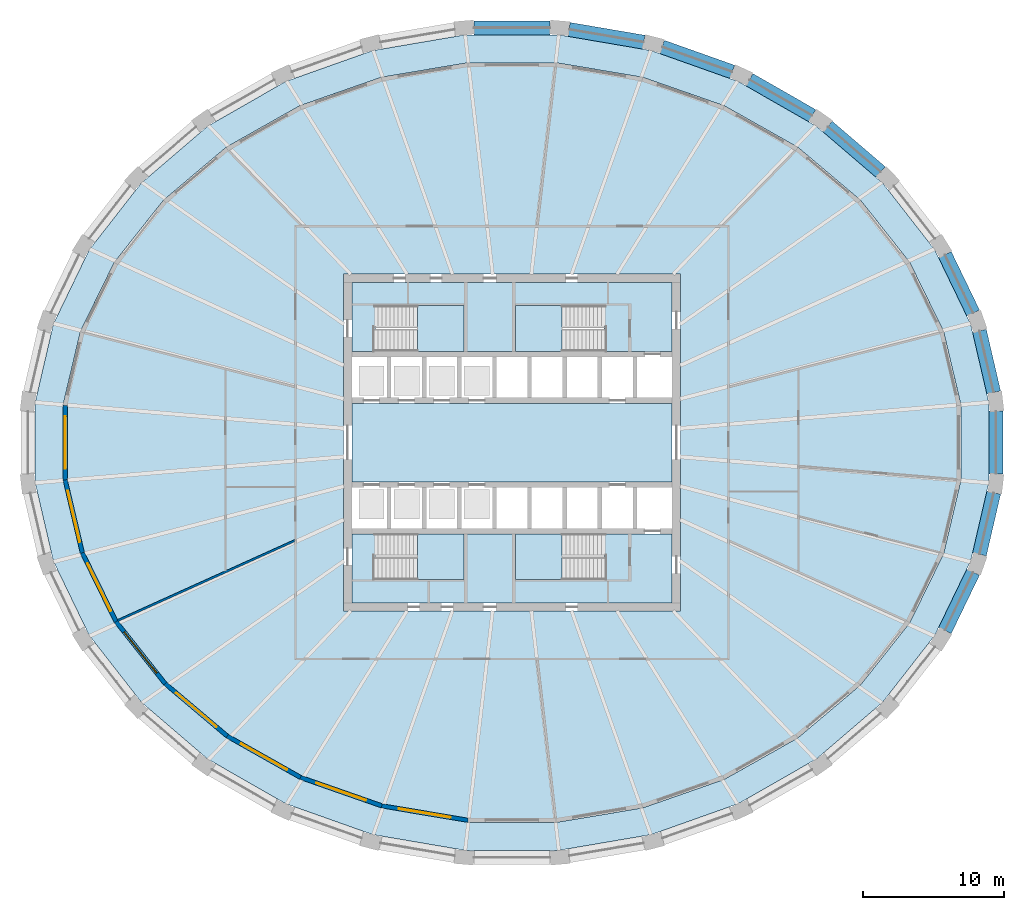
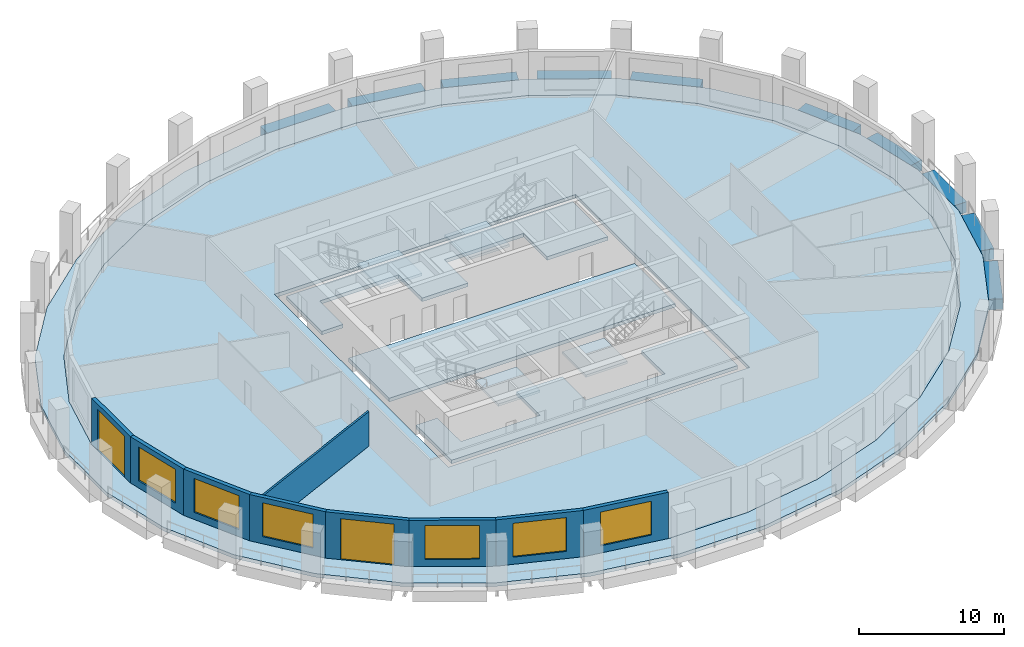
# One storey, part 2 of 10: 10 beams, 9 slabs, 9 walls, 6 windows, 2 doors, 8 openings, 4 elements without a shape of their own.
"""IFC4 building model written with IfcOpenShell, lengths in metres."""

import ifcopenshell
import ifcopenshell.guid

model = None  # the IFC model being written
_history = None  # IfcOwnerHistory: only IFC2X3 demands one
_inside = {}  # id of a spatial element -> (the spatial element, [elements in it])
_under = {}  # id of a project, library or spatial element -> (it, [spatial elements below it])
_declared = {}  # id of a project -> (the project, [libraries it declares])
_typed = {}  # id of a type object -> (the type object, [elements of that type])
_made_of = {}  # id of a material, layer set ... -> (it, [elements and type objects made of it])


def new_model(schema):
    """Start an empty IFC model of exactly this schema.

    Asked for "IFC4X3", IfcOpenShell would pick the latest addendum, in which some entities
    have other attributes; the version numbers below select the first issue.
    IFC2X3 requires an IfcOwnerHistory on every rooted entity: one is made here for all.
    """
    global model, _history
    if schema == "IFC4X3":
        model = ifcopenshell.file(schema_version=(4, 3, 0, 0))
    else:
        model = ifcopenshell.file(schema=schema)
    _inside.clear()
    _under.clear()
    _declared.clear()
    _typed.clear()
    _made_of.clear()
    _history = None
    if model.schema == "IFC2X3":
        org = make("IfcOrganization", Name="unknown")
        user = make(
            "IfcPersonAndOrganization",
            ThePerson=make("IfcPerson", FamilyName="unknown"),
            TheOrganization=org,
        )
        app = make(
            "IfcApplication",
            ApplicationDeveloper=org,
            Version="unknown",
            ApplicationFullName="unknown",
            ApplicationIdentifier="unknown",
        )
        _history = make(
            "IfcOwnerHistory",
            OwningUser=user,
            OwningApplication=app,
            ChangeAction="ADDED",
            CreationDate=0,
        )
    return model


def make(cls, **values):
    """One entity of the class cls with the attributes given. An attribute that is None is left unset."""
    return model.create_entity(
        cls, **{name: value for name, value in values.items() if value is not None}
    )


def rooted(cls, **values):
    """An entity with a GlobalId (a new one), such as an element, a storey or a relation."""
    return make(cls, GlobalId=ifcopenshell.guid.new(), OwnerHistory=_history, **values)


def si_unit(unit_type, name, prefix=None):
    """IfcSIUnit, for example si_unit("LENGTHUNIT", "METRE", prefix="MILLI")."""
    return make("IfcSIUnit", UnitType=unit_type, Prefix=prefix, Name=name)


def assignment(units):
    """IfcUnitAssignment: the units of a project."""
    return None if units is None else make("IfcUnitAssignment", Units=units)


def point(xyz):
    """IfcCartesianPoint."""
    return None if xyz is None else make("IfcCartesianPoint", Coordinates=xyz)


def direction(xyz):
    """IfcDirection."""
    return None if xyz is None else make("IfcDirection", DirectionRatios=xyz)


def frame(location, z_axis=None, x_axis=None):
    """IfcAxis2Placement3D, a coordinate frame: its origin and axes. An axis left out is left unset."""
    return make(
        "IfcAxis2Placement3D",
        Location=point(location),
        Axis=direction(z_axis),
        RefDirection=direction(x_axis),
    )


def frame_2d(location, x_axis=None):
    """IfcAxis2Placement2D, a coordinate frame in the plane: its origin and x axis."""
    return make(
        "IfcAxis2Placement2D", Location=point(location), RefDirection=direction(x_axis)
    )


def origin():
    """The frame at (0, 0, 0) with its axes left unset."""
    return frame((0.0, 0.0, 0.0))


def origin_2d():
    """The frame at (0, 0) in the plane with its x axis left unset."""
    return frame_2d((0.0, 0.0))


def place(relative_to, where):
    """IfcLocalPlacement: puts the frame where relative to a parent placement (None: the world)."""
    return make(
        "IfcLocalPlacement", PlacementRelTo=relative_to, RelativePlacement=where
    )


def context(
    kind, dimensions, precision=None, world=None, true_north=None, identifier=None
):
    """IfcGeometricRepresentationContext, for example the 3D "Model" context."""
    return make(
        "IfcGeometricRepresentationContext",
        ContextIdentifier=identifier,
        ContextType=kind,
        CoordinateSpaceDimension=dimensions,
        Precision=precision,
        WorldCoordinateSystem=world,
        TrueNorth=true_north,
    )


def subcontext(parent, identifier, kind, view, scale=None):
    """IfcGeometricRepresentationSubContext, for example "Body" below "Model"."""
    return make(
        "IfcGeometricRepresentationSubContext",
        ContextIdentifier=identifier,
        ContextType=kind,
        ParentContext=parent,
        TargetScale=scale,
        TargetView=view,
    )


def project(units=None, contexts=None):
    """IfcProject with its units and contexts."""
    return rooted(
        "IfcProject",
        Name="project",
        RepresentationContexts=contexts,
        UnitsInContext=assignment(units),
    )


def spatial(cls, under=None, at=None, **own):
    """A site, building, storey or space (cls), placed at a placement, below another one or the project."""
    s = rooted(cls, ObjectPlacement=at, **own)
    if under is not None:
        _under.setdefault(under.id(), (under, []))[1].append(s)
    return s


def polyline(points):
    """IfcPolyline through the points."""
    return make("IfcPolyline", Points=[point(p) for p in points])


def profile(cls, at=None, kind="AREA", **sizes):
    """A parametric profile (cls). Its sizes go by their IFC names, for example OverallWidth=200.0."""
    return make(cls, ProfileType=kind, Position=at, **sizes)


def rectangle(**sizes):
    """IfcRectangleProfileDef."""
    return profile("IfcRectangleProfileDef", **sizes)


def outline(outer, holes=None, kind="AREA"):
    """IfcArbitraryClosedProfileDef: a profile drawn as a closed curve; with holes, ...WithVoids."""
    if holes is None:
        return make("IfcArbitraryClosedProfileDef", ProfileType=kind, OuterCurve=outer)
    return make(
        "IfcArbitraryProfileDefWithVoids",
        ProfileType=kind,
        OuterCurve=outer,
        InnerCurves=holes,
    )


def extrude(swept, where, along, depth):
    """IfcExtrudedAreaSolid: the profile swept, set in the frame where, extruded along a direction by depth."""
    return make(
        "IfcExtrudedAreaSolid",
        SweptArea=swept,
        Position=where,
        ExtrudedDirection=direction(along),
        Depth=depth,
    )


def shape(context_of_items, identifier, shape_type, items):
    """IfcShapeRepresentation: the items that make up one representation, for example the "Body"."""
    return make(
        "IfcShapeRepresentation",
        ContextOfItems=context_of_items,
        RepresentationIdentifier=identifier,
        RepresentationType=shape_type,
        Items=items,
    )


def material(Name=None, Category=None):
    """IfcMaterial."""
    return make("IfcMaterial", Name=Name, Category=Category)


def layer(
    of_material, thickness, ventilated=None, Name=None, Category=None, Priority=None
):
    """IfcMaterialLayer: one layer of a wall or slab, of a material (None: an air gap)."""
    return make(
        "IfcMaterialLayer",
        Material=of_material,
        LayerThickness=thickness,
        IsVentilated=ventilated,
        Name=Name,
        Category=Category,
        Priority=Priority,
    )


def layer_set(layers, Name=None):
    """IfcMaterialLayerSet."""
    return make("IfcMaterialLayerSet", MaterialLayers=layers, LayerSetName=Name)


def material_profile(
    of_material, cross_section, Name=None, Category=None, Priority=None
):
    """IfcMaterialProfile: a cross section and its material."""
    return make(
        "IfcMaterialProfile",
        Name=Name,
        Material=of_material,
        Profile=cross_section,
        Priority=Priority,
        Category=Category,
    )


def profile_set(profiles, Name=None, composite=None):
    """IfcMaterialProfileSet."""
    return make(
        "IfcMaterialProfileSet",
        Name=Name,
        MaterialProfiles=profiles,
        CompositeProfile=composite,
    )


def made_of(thing, what):
    """Note that an element or type object is made of a material, layer set ...; save() writes the relation."""
    if what is not None:
        _made_of.setdefault(what.id(), (what, []))[1].append(thing)
    return thing


def type_object(cls, material=None, **own):
    """A type object (cls), such as IfcWallType, which elements share."""
    return made_of(rooted(cls, **own), material)


def element(
    cls,
    number,
    at=None,
    inside=None,
    cuts=None,
    type_object=None,
    material=None,
    context=None,
    identifier="Body",
    shape_type=None,
    held_by="IfcProductDefinitionShape",
    body=None,
    shapes=None,
    **own,
):
    """One element of the class cls, such as IfcWall. Its Tag is "e" and its number.

    at: its placement. inside: the storey or other place that contains it. cuts: it is an
    opening in that element (IfcRelVoidsElement). A single representation is given by context,
    identifier, shape_type and body (its items); several are given by shapes. held_by: the class
    of the entity that holds the representations. save() writes the other relations.
    """
    e = rooted(cls, Tag="e%d" % number, ObjectPlacement=at, **own)
    if body is not None:
        shapes = [shape(context, identifier, shape_type, body)]
    if shapes is not None:
        e.Representation = make(held_by, Representations=shapes)
    if inside is not None:
        _inside.setdefault(inside.id(), (inside, []))[1].append(e)
    if cuts is not None:
        rooted(
            "IfcRelVoidsElement", RelatingBuildingElement=cuts, RelatedOpeningElement=e
        )
    if type_object is not None:
        _typed.setdefault(type_object.id(), (type_object, []))[1].append(e)
    return made_of(e, material)


def fill(opening, filler):
    """IfcRelFillsElement: the door or window that sits in an opening."""
    return rooted(
        "IfcRelFillsElement",
        RelatingOpeningElement=opening,
        RelatedBuildingElement=filler,
    )


def aggregate(whole, parts):
    """IfcRelAggregates: a whole, such as a stair, and the parts it consists of."""
    return rooted("IfcRelAggregates", RelatingObject=whole, RelatedObjects=parts)


def save(model, path):
    """Write the relations noted so far, then the file.

    IfcRelAggregates (storeys below a building ...), IfcRelContainedInSpatialStructure (elements
    in a storey), IfcRelDefinesByType, IfcRelAssociatesMaterial and IfcRelDeclares: one each for
    every whole, place, type object, material and project.
    """
    for whole, parts in _under.values():
        aggregate(whole, parts)
    for where, things in _inside.values():
        rooted(
            "IfcRelContainedInSpatialStructure",
            RelatedElements=things,
            RelatingStructure=where,
        )
    for kind, things in _typed.values():
        rooted("IfcRelDefinesByType", RelatedObjects=things, RelatingType=kind)
    for what, things in _made_of.values():
        rooted("IfcRelAssociatesMaterial", RelatedObjects=things, RelatingMaterial=what)
    for by, libraries in _declared.values():
        rooted("IfcRelDeclares", RelatingContext=by, RelatedDefinitions=libraries)
    model.write(path)


model = new_model("IFC4")

# Units and contexts
model_context = context("Model", 3, precision=1e-05, world=origin(), true_north=direction((0.0, 1.0)))
body_context = subcontext(model_context, "Body", "Model", "MODEL_VIEW")
ifc_project = project(units=[si_unit("LENGTHUNIT", "METRE"), si_unit("AREAUNIT", "SQUARE_METRE"), si_unit("VOLUMEUNIT", "CUBIC_METRE"), si_unit("PLANEANGLEUNIT", "RADIAN"), si_unit("MASSUNIT", "GRAM", prefix="KILO")], contexts=[model_context])

# Site, building, storey
site_placement = place(None, origin())
site = spatial("IfcSite", under=ifc_project, at=site_placement, CompositionType="ELEMENT")
building_placement = place(site_placement, origin())
building = spatial("IfcBuilding", under=site, at=building_placement, Name="Halqa Exchange Tower", CompositionType="ELEMENT")
storey_placement = place(building_placement, frame((0.0, 0.0, 133.89990234375)))
storey = spatial("IfcBuildingStorey", under=building, at=storey_placement, Name="L30", CompositionType="ELEMENT", Elevation=133.89990234375)

# Beams
ifc_material_1 = material(Name="Concrete C60/75", Category="concrete")
ifc_material_profile = material_profile(ifc_material_1, rectangle(XDim=1.0, YDim=0.89990234375, at=origin_2d()), Name="1000 x 900")
ifc_profile_set = profile_set([ifc_material_profile], Name="Concrete C60/75")
beam_type = type_object("IfcBeamType", Name="RC spandrel beam 1000 x 900 C60/75", PredefinedType="SPANDREL", material=ifc_profile_set)
beam_1_placement = place(storey_placement, frame((34.285888671875, 3.565673828125, -0.449951171875), z_axis=(-0.226051594905, 0.974115330154, 0.0), x_axis=(-0.974115330154, -0.226051594905, 0.0)))
element("IfcBeam", 1, at=beam_1_placement, inside=storey, type_object=beam_type, Name="Spandrel 1", PredefinedType="SPANDREL", context=body_context, shape_type="SweptSolid", body=[
    extrude(rectangle(XDim=1.0, YDim=0.89990234375, at=origin_2d()), origin(), (0.0, 0.0, 1.0), 4.50146484375),
])
beam_2_placement = place(storey_placement, frame((32.821044921875, 9.218994140625, -0.449951171875), z_axis=(-0.435133641471, 0.900365877885, 0.0), x_axis=(-0.900365877885, -0.435133641471, 0.0)))
element("IfcBeam", 2, at=beam_2_placement, inside=storey, type_object=beam_type, Name="Spandrel 2", PredefinedType="SPANDREL", context=body_context, shape_type="SweptSolid", body=[
    extrude(rectangle(XDim=1.0, YDim=0.89990234375, at=origin_2d()), origin(), (0.0, 0.0, 1.0), 4.615478515625),
])
beam_3_placement = place(storey_placement, frame((26.237548828125, 19.256591796875, -0.449951171875), z_axis=(-0.759270476271, 0.650775186884, 0.0), x_axis=(-0.650775186884, -0.759270476271, 0.0)))
element("IfcBeam", 3, at=beam_3_placement, inside=storey, type_object=beam_type, Name="Spandrel 4", PredefinedType="SPANDREL", context=body_context, shape_type="SweptSolid", body=[
    extrude(rectangle(XDim=1.0, YDim=0.89990234375, at=origin_2d()), origin(), (0.0, 0.0, 1.0), 4.968505859375),
])
beam_4_placement = place(storey_placement, frame((21.36767578125, 23.26416015625, -0.449951171875), z_axis=(-0.867738128513, 0.497021669874, 0.0), x_axis=(-0.497021669874, -0.867738128513, 0.0)))
element("IfcBeam", 4, at=beam_4_placement, inside=storey, type_object=beam_type, Name="Spandrel 5", PredefinedType="SPANDREL", context=body_context, shape_type="SweptSolid", body=[
    extrude(rectangle(XDim=1.0, YDim=0.89990234375, at=origin_2d()), origin(), (0.0, 0.0, 1.0), 5.1513671875),
])
beam_5_placement = place(storey_placement, frame((15.6767578125, 26.385009765625, -0.449951171875), z_axis=(-0.9423560926, 0.334611707415, 0.0), x_axis=(-0.334611707415, -0.9423560926, 0.0)))
element("IfcBeam", 5, at=beam_5_placement, inside=storey, type_object=beam_type, Name="Spandrel 6", PredefinedType="SPANDREL", context=body_context, shape_type="SweptSolid", body=[
    extrude(rectangle(XDim=1.0, YDim=0.89990234375, at=origin_2d()), origin(), (0.0, 0.0, 1.0), 5.301513671875),
])
beam_6_placement = place(storey_placement, frame((9.38134765625, 28.497802734375, -0.449951171875), z_axis=(-0.985773716271, 0.168077899527, 0.0), x_axis=(-0.168077899527, -0.985773716271, 0.0)))
element("IfcBeam", 6, at=beam_6_placement, inside=storey, type_object=beam_type, Name="Spandrel 7", PredefinedType="SPANDREL", context=body_context, shape_type="SweptSolid", body=[
    extrude(rectangle(XDim=1.0, YDim=0.89990234375, at=origin_2d()), origin(), (0.0, 0.0, 1.0), 5.400634765625),
])
beam_7_placement = place(storey_placement, frame((2.716796875, 29.518798828125, -0.449951171875), z_axis=(-1.0, 0.0, 0.0), x_axis=(0.0, -1.0, 0.0)))
element("IfcBeam", 7, at=beam_7_placement, inside=storey, type_object=beam_type, Name="Spandrel 8", PredefinedType="SPANDREL", context=body_context, shape_type="SweptSolid", body=[
    extrude(rectangle(XDim=1.0, YDim=0.89990234375, at=origin_2d()), origin(), (0.0, 0.0, 1.0), 5.43359375),
])
beam_8_placement = place(storey_placement, frame((30.812744140625, -13.37451171875, -0.449951171875), z_axis=(0.435133641471, 0.900365877885, 0.0), x_axis=(-0.900365877885, 0.435133641471, 0.0)))
element("IfcBeam", 8, at=beam_8_placement, inside=storey, type_object=beam_type, Name="Spandrel 30", PredefinedType="SPANDREL", context=body_context, shape_type="SweptSolid", body=[
    extrude(rectangle(XDim=1.0, YDim=0.89990234375, at=origin_2d()), origin(), (0.0, 0.0, 1.0), 4.615478515625),
])
beam_9_placement = place(storey_placement, frame((33.268310546875, -7.95068359375, -0.449951171875), z_axis=(0.226051594905, 0.974115330154, 0.0), x_axis=(-0.974115330154, 0.226051594905, 0.0)))
element("IfcBeam", 9, at=beam_9_placement, inside=storey, type_object=beam_type, Name="Spandrel 31", PredefinedType="SPANDREL", context=body_context, shape_type="SweptSolid", body=[
    extrude(rectangle(XDim=1.0, YDim=0.89990234375, at=origin_2d()), origin(), (0.0, 0.0, 1.0), 4.50146484375),
])
beam_10_placement = place(storey_placement, frame((34.438720703125, -2.2314453125, -0.449951171875), z_axis=(0.0, 1.0, 0.0), x_axis=(-1.0, 0.0, 0.0)))
element("IfcBeam", 10, at=beam_10_placement, inside=storey, type_object=beam_type, Name="Spandrel 32", PredefinedType="SPANDREL", context=body_context, shape_type="SweptSolid", body=[
    extrude(rectangle(XDim=1.0, YDim=0.89990234375, at=origin_2d()), origin(), (0.0, 0.0, 1.0), 4.462890625),
])

# Slabs
ifc_layer_1 = layer(ifc_material_1, 0.300048828125)
ifc_layer_set_1 = layer_set([ifc_layer_1], Name="Concrete C60/75")
slab_type_1 = type_object("IfcSlabType", Name="Core floor slab 300", PredefinedType="FLOOR", material=ifc_layer_set_1)
slab_1_placement = place(storey_placement, frame((0.0, 0.0, -0.2998046875)))
element("IfcSlab", 11, at=slab_1_placement, inside=storey, type_object=slab_type_1, Name="Core floor slab", PredefinedType="FLOOR", context=body_context, shape_type="SweptSolid", body=[
    extrude(outline(polyline([(-11.39990234375, 2.800048828125), (11.39990234375, 2.800048828125), (11.39990234375, -2.800048828125), (-11.39990234375, -2.800048828125), (-11.39990234375, 2.800048828125)])), origin(), (0.0, 0.0, 1.0), 0.2998046875),
])
slab_2_placement = place(storey_placement, frame((0.0, 0.0, -0.2998046875)))
element("IfcSlab", 12, at=slab_2_placement, inside=storey, type_object=slab_type_1, Name="Core floor slab", PredefinedType="FLOOR", context=body_context, shape_type="SweptSolid", body=[
    extrude(outline(polyline([(-11.39990234375, 11.39990234375), (11.39990234375, 11.39990234375), (11.39990234375, 6.5), (6.550048828125, 6.5), (6.550048828125, 9.75), (0.25, 9.75), (0.25, 6.5), (-3.39990234375, 6.5), (-3.39990234375, 9.75), (-9.699951171875, 9.75), (-9.699951171875, 6.5), (-11.39990234375, 6.5), (-11.39990234375, 11.39990234375)])), origin(), (0.0, 0.0, 1.0), 0.2998046875),
])
slab_3_placement = place(storey_placement, frame((0.0, 0.0, -0.2998046875)))
element("IfcSlab", 13, at=slab_3_placement, inside=storey, type_object=slab_type_1, Name="Core floor slab", PredefinedType="FLOOR", context=body_context, shape_type="SweptSolid", body=[
    extrude(outline(polyline([(-9.699951171875, -9.75), (-3.39990234375, -9.75), (-3.39990234375, -6.5), (0.25, -6.5), (0.25, -9.75), (6.550048828125, -9.75), (6.550048828125, -6.5), (11.39990234375, -6.5), (11.39990234375, -11.39990234375), (-11.39990234375, -11.39990234375), (-11.39990234375, -6.5), (-9.699951171875, -6.5), (-9.699951171875, -9.75)])), origin(), (0.0, 0.0, 1.0), 0.2998046875),
])
ifc_material_2 = material(Name="Concrete C40/50", Category="concrete")
ifc_layer_2 = layer(ifc_material_2, 0.300048828125)
ifc_layer_set_2 = layer_set([ifc_layer_2], Name="Concrete C40/50")
slab_type_2 = type_object("IfcSlabType", Name="RC floor slab 300", PredefinedType="FLOOR", material=ifc_layer_set_2)
slab_4_placement = place(storey_placement, frame((0.0, 0.0, -0.2998046875)))
element("IfcSlab", 14, at=slab_4_placement, inside=storey, type_object=slab_type_2, Name="Floor slab", PredefinedType="FLOOR", context=body_context, shape_type="SweptSolid", body=[
    extrude(outline(polyline([(31.9521484375, 2.667724609375), (30.72021484375, 7.899169921875), (28.304931640625, 12.823486328125), (24.802490234375, 17.250732421875), (20.34912109375, 21.01171875), (15.1171875, 23.96435546875), (9.3076171875, 25.99658203125), (3.142578125, 27.032470703125), (-3.142578125, 27.032470703125), (-9.3076171875, 25.99658203125), (-15.1171875, 23.96435546875), (-20.34912109375, 21.01171875), (-24.802490234375, 17.250732421875), (-28.304931640625, 12.823486328125), (-30.72021484375, 7.899169921875), (-31.9521484375, 2.667724609375), (-31.9521484375, -2.667724609375), (-30.72021484375, -7.899169921875), (-28.304931640625, -12.823486328125), (-24.802490234375, -17.250732421875), (-20.34912109375, -21.01171875), (-15.1171875, -23.96435546875), (-9.3076171875, -25.99658203125), (-3.142578125, -27.032470703125), (3.142578125, -27.032470703125), (9.3076171875, -25.99658203125), (15.1171875, -23.96435546875), (20.34912109375, -21.01171875), (24.802490234375, -17.250732421875), (28.304931640625, -12.823486328125), (30.72021484375, -7.899169921875), (31.9521484375, -2.667724609375), (31.9521484375, 2.667724609375)]), holes=[polyline([(-12.0, -12.0), (12.0, -12.0), (12.0, 12.0), (-12.0, 12.0), (-12.0, -12.0)])]), origin(), (0.0, 0.0, 1.0), 0.2998046875),
])
ifc_layer_3 = layer(ifc_material_2, 0.300048828125)
ifc_layer_set_3 = layer_set([ifc_layer_3], Name="Concrete C40/50")
slab_type_3 = type_object("IfcSlabType", Name="RC loggia slab 300", PredefinedType="FLOOR", material=ifc_layer_set_3)
slab_5_placement = place(storey_placement, frame((0.0, 0.0, -0.2998046875)))
element("IfcSlab", 15, at=slab_5_placement, inside=storey, type_object=slab_type_3, Name="Loggia slab", PredefinedType="FLOOR", context=body_context, shape_type="SweptSolid", body=[
    extrude(outline(polyline([(33.938720703125, 2.85009765625), (33.938720703125, -2.85009765625), (32.640625, -8.44287109375), (30.092041015625, -13.717041015625), (26.38671875, -18.47021484375), (21.663818359375, -22.518310546875), (16.103271484375, -25.703125), (9.918701171875, -27.89892578125), (3.349609375, -29.018798828125), (-3.349609375, -29.018798828125), (-9.918701171875, -27.89892578125), (-16.103271484375, -25.703125), (-21.663818359375, -22.518310546875), (-26.38671875, -18.47021484375), (-30.092041015625, -13.717041015625), (-32.640625, -8.44287109375), (-33.938720703125, -2.85009765625), (-33.938720703125, 2.85009765625), (-32.640625, 8.44287109375), (-30.092041015625, 13.717041015625), (-26.38671875, 18.47021484375), (-21.663818359375, 22.518310546875), (-16.103271484375, 25.703125), (-9.918701171875, 27.89892578125), (-3.349609375, 29.018798828125), (3.349609375, 29.018798828125), (9.918701171875, 27.89892578125), (16.103271484375, 25.703125), (21.663818359375, 22.518310546875), (26.38671875, 18.47021484375), (30.092041015625, 13.717041015625), (32.640625, 8.44287109375), (33.938720703125, 2.85009765625)]), holes=[polyline([(31.9521484375, 2.667724609375), (30.72021484375, 7.899169921875), (28.304931640625, 12.823486328125), (24.802490234375, 17.250732421875), (20.34912109375, 21.01171875), (15.1171875, 23.96435546875), (9.3076171875, 25.99658203125), (3.142578125, 27.032470703125), (-3.142578125, 27.032470703125), (-9.3076171875, 25.99658203125), (-15.1171875, 23.96435546875), (-20.34912109375, 21.01171875), (-24.802490234375, 17.250732421875), (-28.304931640625, 12.823486328125), (-30.72021484375, 7.899169921875), (-31.9521484375, 2.667724609375), (-31.9521484375, -2.667724609375), (-30.72021484375, -7.899169921875), (-28.304931640625, -12.823486328125), (-24.802490234375, -17.250732421875), (-20.34912109375, -21.01171875), (-15.1171875, -23.96435546875), (-9.3076171875, -25.99658203125), (-3.142578125, -27.032470703125), (3.142578125, -27.032470703125), (9.3076171875, -25.99658203125), (15.1171875, -23.96435546875), (20.34912109375, -21.01171875), (24.802490234375, -17.250732421875), (28.304931640625, -12.823486328125), (30.72021484375, -7.899169921875), (31.9521484375, -2.667724609375), (31.9521484375, 2.667724609375)])]), origin(), (0.0, 0.0, 1.0), 0.2998046875),
])

# Stair, slab
ifc_material_3 = material(Name="Concrete C30/37", Category="concrete")
stair_type = type_object("IfcStairType", Name="Exit stair 1500 wide", PredefinedType="HALF_TURN_STAIR", material=ifc_material_3)
stair_1_placement = place(storey_placement, origin())
stair_1 = element("IfcStair", 16, at=stair_1_placement, inside=storey, type_object=stair_type, Name="Exit stair ST1", PredefinedType="HALF_TURN_STAIR")
ifc_layer_4 = layer(ifc_material_3, 0.199951171875)
ifc_layer_set_4 = layer_set([ifc_layer_4], Name="Concrete C30/37")
slab_type_4 = type_object("IfcSlabType", Name="Stair landing 200 slab", PredefinedType="LANDING", material=ifc_layer_set_4)
slab_6_placement = place(storey_placement, frame((0.0, 0.0, 1.900146484375)))
slab_6 = element("IfcSlab", 17, at=slab_6_placement, type_object=slab_type_4, Name="ST1 landing 1", PredefinedType="LANDING", context=body_context, shape_type="SweptSolid", body=[
    extrude(outline(polyline([(-6.719970703125, 6.5), (-3.39990234375, 6.5), (-3.39990234375, 9.75), (-6.719970703125, 9.75), (-6.719970703125, 6.5)])), origin(), (0.0, 0.0, 1.0), 0.199951171875),
])
aggregate(stair_1, [slab_6])

stair_2_placement = place(storey_placement, origin())
stair_2 = element("IfcStair", 18, at=stair_2_placement, inside=storey, type_object=stair_type, Name="Exit stair ST2", PredefinedType="HALF_TURN_STAIR")
slab_7_placement = place(storey_placement, frame((0.0, 0.0, 1.900146484375)))
slab_7 = element("IfcSlab", 19, at=slab_7_placement, type_object=slab_type_4, Name="ST2 landing 1", PredefinedType="LANDING", context=body_context, shape_type="SweptSolid", body=[
    extrude(outline(polyline([(0.25, 6.5), (3.570068359375, 6.5), (3.570068359375, 9.75), (0.25, 9.75), (0.25, 6.5)])), origin(), (0.0, 0.0, 1.0), 0.199951171875),
])
aggregate(stair_2, [slab_7])

stair_3_placement = place(storey_placement, origin())
stair_3 = element("IfcStair", 20, at=stair_3_placement, inside=storey, type_object=stair_type, Name="Exit stair ST3", PredefinedType="HALF_TURN_STAIR")
slab_8_placement = place(storey_placement, frame((0.0, 0.0, 1.900146484375)))
slab_8 = element("IfcSlab", 21, at=slab_8_placement, type_object=slab_type_4, Name="ST3 landing 1", PredefinedType="LANDING", context=body_context, shape_type="SweptSolid", body=[
    extrude(outline(polyline([(-6.719970703125, -9.75), (-3.39990234375, -9.75), (-3.39990234375, -6.5), (-6.719970703125, -6.5), (-6.719970703125, -9.75)])), origin(), (0.0, 0.0, 1.0), 0.199951171875),
])
aggregate(stair_3, [slab_8])

stair_4_placement = place(storey_placement, origin())
stair_4 = element("IfcStair", 22, at=stair_4_placement, inside=storey, type_object=stair_type, Name="Exit stair ST4", PredefinedType="HALF_TURN_STAIR")
slab_9_placement = place(storey_placement, frame((0.0, 0.0, 1.900146484375)))
slab_9 = element("IfcSlab", 23, at=slab_9_placement, type_object=slab_type_4, Name="ST4 landing 1", PredefinedType="LANDING", context=body_context, shape_type="SweptSolid", body=[
    extrude(outline(polyline([(0.25, -9.75), (3.570068359375, -9.75), (3.570068359375, -6.5), (0.25, -6.5), (0.25, -9.75)])), origin(), (0.0, 0.0, 1.0), 0.199951171875),
])
aggregate(stair_4, [slab_9])

# Wall
ifc_material_4 = material(Name="Fire-rated gypsum board")
ifc_layer_5 = layer(ifc_material_4, 0.14990234375)
ifc_layer_set_5 = layer_set([ifc_layer_5], Name="Fire-rated gypsum board")
wall_type_1 = type_object("IfcWallType", Name="Fire partition EI 60 150", PredefinedType="PARTITIONING", material=ifc_layer_set_5)
wall_1_placement = place(storey_placement, frame((-28.051513671875, -12.664306640625, 0.0), z_axis=(0.0, 0.0, 1.0), x_axis=(0.911350334726, 0.411631591833, 0.0)))
element("IfcWall", 24, at=wall_1_placement, inside=storey, type_object=wall_type_1, Name="L30-PWL-002", PredefinedType="PARTITIONING", context=body_context, shape_type="SweptSolid", body=[
    extrude(outline(polyline([(0.021240234375, -0.074951171875), (1.98486328125, -0.074951171875), (3.9482421875, -0.074951171875), (5.911865234375, -0.074951171875), (7.87548828125, -0.074951171875), (9.8388671875, -0.074951171875), (11.802490234375, -0.074951171875), (13.76611328125, -0.074951171875), (13.813720703125, 0.03076171875), (13.827392578125, 0.024658203125), (13.849609375, 0.07373046875), (13.849609375, 0.074951171875), (12.061279296875, 0.074951171875), (10.27294921875, 0.074951171875), (8.484619140625, 0.074951171875), (8.48388671875, 0.073486328125), (8.48095703125, 0.074951171875), (6.78466796875, 0.074951171875), (5.088623046875, 0.074951171875), (3.392333984375, 0.074951171875), (1.6962890625, 0.074951171875), (0.0, 0.074951171875), (0.0, 0.07421875), (0.002197265625, 0.0009765625), (0.021240234375, -0.074951171875)])), origin(), (0.0, 0.0, 1.0), 2.91015625),
])

# Wall, opening, door
ifc_material_5 = material(Name="Limestone cladding", Category="masonry")
ifc_layer_6 = layer(ifc_material_5, 0.0400390625)
ifc_material_6 = material(Name="Ventilated cavity")
ifc_layer_7 = layer(ifc_material_6, 0.030029296875, ventilated=True)
ifc_material_7 = material(Name="Mineral wool insulation")
ifc_layer_8 = layer(ifc_material_7, 0.10009765625)
ifc_layer_9 = layer(ifc_material_3, 0.10009765625)
ifc_material_8 = material(Name="Internal plaster")
ifc_layer_10 = layer(ifc_material_8, 0.030029296875)
ifc_layer_set_6 = layer_set([ifc_layer_6, ifc_layer_7, ifc_layer_8, ifc_layer_9, ifc_layer_10], Name="Stone-faced insulated wall 300")
wall_type_2 = type_object("IfcWallType", Name="Stone-faced insulated wall 300", PredefinedType="STANDARD", material=ifc_layer_set_6)
wall_2_placement = place(storey_placement, frame((-31.802001953125, 2.650390625, 0.0), z_axis=(0.0, 0.0, 1.0), x_axis=(0.0, -1.0, 0.0)))
wall_2 = element("IfcWall", 25, at=wall_2_placement, inside=storey, type_object=wall_type_2, Name="Glass-line wall 16", PredefinedType="STANDARD", context=body_context, shape_type="SweptSolid", body=[
    extrude(outline(polyline([(-0.017333984375, -0.14990234375), (5.318115234375, -0.14990234375), (5.283447265625, 0.14990234375), (0.017333984375, 0.14990234375), (-0.017333984375, -0.14990234375)])), origin(), (0.0, 0.0, 1.0), 3.900146484375),
])
opening_1_placement = place(wall_2_placement, frame((0.775390625, 0.0, 0.0)))
opening_1 = element("IfcOpeningElement", 26, at=opening_1_placement, cuts=wall_2, Name="Opening LG-F2-04", PredefinedType="OPENING", context=body_context, shape_type="SweptSolid", body=[
    extrude(rectangle(XDim=3.75, YDim=3.449951171875, at=frame_2d((1.875, 1.72509765625))), frame((0.0, 0.162109375, 0.0), z_axis=(0.0, -1.0, 0.0), x_axis=(1.0, 0.0, 0.0)), (0.0, 0.0, 1.0), 0.323974609375),
])
ifc_material_9 = material(Name="Clear low-emissivity glass in aluminium frame", Category="aluminium")
door_type = type_object("IfcDoorType", Name="Glazed sliding loggia door 3750 x 3450", OperationType="DOUBLE_DOOR_SLIDING", PredefinedType="DOOR", material=ifc_material_9)
door_1_placement = place(opening_1_placement, origin())
door_1 = element("IfcDoor", 27, at=door_1_placement, inside=storey, type_object=door_type, Name="Loggia door 4", OperationType="DOUBLE_DOOR_SLIDING", OverallHeight=3.449951171875, OverallWidth=3.75, PredefinedType="DOOR", context=body_context, shape_type="SweptSolid", body=[
    extrude(rectangle(XDim=3.75, YDim=3.449951171875, at=frame_2d((1.875, 1.72509765625))), frame((0.0, 0.02490234375, 0.0), z_axis=(0.0, -1.0, 0.0), x_axis=(1.0, 0.0, 0.0)), (0.0, 0.0, 1.0), 0.050048828125),
])
fill(opening_1, door_1)

# Wall, opening, window
wall_3_placement = place(storey_placement, frame((-31.802001953125, -2.650390625, 0.0), z_axis=(0.0, 0.0, 1.0), x_axis=(0.229227895667, -0.973372781543, 0.0)))
wall_3 = element("IfcWall", 28, at=wall_3_placement, inside=storey, type_object=wall_type_2, Name="Glass-line wall 17", PredefinedType="STANDARD", context=body_context, shape_type="SweptSolid", body=[
    extrude(outline(polyline([(-0.017333984375, -0.14990234375), (5.35693359375, -0.14990234375), (5.3232421875, 0.14990234375), (0.017333984375, 0.14990234375), (-0.017333984375, -0.14990234375)])), origin(), (0.0, 0.0, 1.0), 3.900146484375),
])
opening_2_placement = place(wall_3_placement, frame((0.795166015625, 0.0, 0.60009765625)))
opening_2 = element("IfcOpeningElement", 29, at=opening_2_placement, cuts=wall_3, Name="Opening W-F2-17", PredefinedType="OPENING", context=body_context, shape_type="SweptSolid", body=[
    extrude(rectangle(XDim=3.75, YDim=2.85009765625, at=frame_2d((1.875, 1.425048828125))), frame((0.0, 0.162109375, 0.0), z_axis=(0.0, -1.0, 0.0), x_axis=(1.0, 0.0, 0.0)), (0.0, 0.0, 1.0), 0.323974609375),
])
window_type = type_object("IfcWindowType", Name="Fixed clear glazed window 3750 x 2850", PartitioningType="TRIPLE_PANEL_VERTICAL", PredefinedType="WINDOW", material=ifc_material_9)
window_1_placement = place(opening_2_placement, origin())
window_1 = element("IfcWindow", 30, at=window_1_placement, inside=storey, type_object=window_type, Name="Window 2", OverallHeight=2.85009765625, OverallWidth=3.75, PartitioningType="TRIPLE_PANEL_VERTICAL", PredefinedType="WINDOW", context=body_context, shape_type="SweptSolid", body=[
    extrude(rectangle(XDim=3.75, YDim=2.85009765625, at=frame_2d((1.875, 1.425048828125))), frame((0.0, 0.030029296875, 0.0), z_axis=(0.0, -1.0, 0.0), x_axis=(1.0, 0.0, 0.0)), (0.0, 0.0, 1.0), 0.06005859375),
])
fill(opening_2, window_1)

wall_4_placement = place(storey_placement, frame((-30.577880859375, -7.848388671875, 0.0), z_axis=(0.0, 0.0, 1.0), x_axis=(0.440321465864, -0.897840189956, 0.0)))
wall_4 = element("IfcWall", 31, at=wall_4_placement, inside=storey, type_object=wall_type_2, Name="Glass-line wall 18", PredefinedType="STANDARD", context=body_context, shape_type="SweptSolid", body=[
    extrude(outline(polyline([(-0.016845703125, -0.14990234375), (5.467529296875, -0.14990234375), (5.435302734375, 0.14990234375), (0.016845703125, 0.14990234375), (-0.016845703125, -0.14990234375)])), origin(), (0.0, 0.0, 1.0), 3.900146484375),
])
opening_3_placement = place(wall_4_placement, frame((0.850830078125, 0.0, 0.60009765625)))
opening_3 = element("IfcOpeningElement", 32, at=opening_3_placement, cuts=wall_4, Name="Opening W-F2-18", PredefinedType="OPENING", context=body_context, shape_type="SweptSolid", body=[
    extrude(rectangle(XDim=3.75, YDim=2.85009765625, at=frame_2d((1.875, 1.425048828125))), frame((0.0, 0.162109375, 0.0), z_axis=(0.0, -1.0, 0.0), x_axis=(1.0, 0.0, 0.0)), (0.0, 0.0, 1.0), 0.323974609375),
])
window_2_placement = place(opening_3_placement, origin())
window_2 = element("IfcWindow", 33, at=window_2_placement, inside=storey, type_object=window_type, Name="Window 2", OverallHeight=2.85009765625, OverallWidth=3.75, PartitioningType="TRIPLE_PANEL_VERTICAL", PredefinedType="WINDOW", context=body_context, shape_type="SweptSolid", body=[
    extrude(rectangle(XDim=3.75, YDim=2.85009765625, at=frame_2d((1.875, 1.425048828125))), frame((0.0, 0.030029296875, 0.0), z_axis=(0.0, -1.0, 0.0), x_axis=(1.0, 0.0, 0.0)), (0.0, 0.0, 1.0), 0.06005859375),
])
fill(opening_3, window_2)

wall_5_placement = place(storey_placement, frame((-28.177490234375, -12.742919921875, 0.0), z_axis=(0.0, 0.0, 1.0), x_axis=(0.620464552431, -0.784234492468, 0.0)))
wall_5 = element("IfcWall", 34, at=wall_5_placement, inside=storey, type_object=wall_type_2, Name="Glass-line wall 19", PredefinedType="STANDARD", context=body_context, shape_type="SweptSolid", body=[
    extrude(outline(polyline([(-0.01611328125, -0.14990234375), (5.62939453125, -0.14990234375), (5.59912109375, 0.14990234375), (0.01611328125, 0.14990234375), (-0.01611328125, -0.14990234375)])), origin(), (0.0, 0.0, 1.0), 3.900146484375),
])
opening_4_placement = place(wall_5_placement, frame((0.931884765625, 0.0, 0.60009765625)))
opening_4 = element("IfcOpeningElement", 35, at=opening_4_placement, cuts=wall_5, Name="Opening W-F2-19", PredefinedType="OPENING", context=body_context, shape_type="SweptSolid", body=[
    extrude(rectangle(XDim=3.75, YDim=2.85009765625, at=frame_2d((1.875, 1.425048828125))), frame((0.0, 0.162109375, 0.0), z_axis=(0.0, -1.0, 0.0), x_axis=(1.0, 0.0, 0.0)), (0.0, 0.0, 1.0), 0.323974609375),
])
window_3_placement = place(opening_4_placement, origin())
window_3 = element("IfcWindow", 36, at=window_3_placement, inside=storey, type_object=window_type, Name="Window 2", OverallHeight=2.85009765625, OverallWidth=3.75, PartitioningType="TRIPLE_PANEL_VERTICAL", PredefinedType="WINDOW", context=body_context, shape_type="SweptSolid", body=[
    extrude(rectangle(XDim=3.75, YDim=2.85009765625, at=frame_2d((1.875, 1.425048828125))), frame((0.0, 0.030029296875, 0.0), z_axis=(0.0, -1.0, 0.0), x_axis=(1.0, 0.0, 0.0)), (0.0, 0.0, 1.0), 0.06005859375),
])
fill(opening_4, window_3)

# Wall, opening, door
wall_6_placement = place(storey_placement, frame((-24.694091796875, -17.145751953125, 0.0), z_axis=(0.0, 0.0, 1.0), x_axis=(0.763963973896, -0.645258898884, 0.0)))
wall_6 = element("IfcWall", 37, at=wall_6_placement, inside=storey, type_object=wall_type_2, Name="Glass-line wall 20", PredefinedType="STANDARD", context=body_context, shape_type="SweptSolid", body=[
    extrude(outline(polyline([(-0.01513671875, -0.14990234375), (5.81396484375, -0.14990234375), (5.78564453125, 0.14990234375), (0.01513671875, 0.14990234375), (-0.01513671875, -0.14990234375)])), origin(), (0.0, 0.0, 1.0), 3.900146484375),
])
opening_5_placement = place(wall_6_placement, frame((1.02490234375, 0.0, 0.0)))
opening_5 = element("IfcOpeningElement", 38, at=opening_5_placement, cuts=wall_6, Name="Opening LG-F2-05", PredefinedType="OPENING", context=body_context, shape_type="SweptSolid", body=[
    extrude(rectangle(XDim=3.75, YDim=3.449951171875, at=frame_2d((1.875, 1.72509765625))), frame((0.0, 0.162109375, 0.0), z_axis=(0.0, -1.0, 0.0), x_axis=(1.0, 0.0, 0.0)), (0.0, 0.0, 1.0), 0.323974609375),
])
door_2_placement = place(opening_5_placement, origin())
door_2 = element("IfcDoor", 39, at=door_2_placement, inside=storey, type_object=door_type, Name="Loggia door 5", OperationType="DOUBLE_DOOR_SLIDING", OverallHeight=3.449951171875, OverallWidth=3.75, PredefinedType="DOOR", context=body_context, shape_type="SweptSolid", body=[
    extrude(rectangle(XDim=3.75, YDim=3.449951171875, at=frame_2d((1.875, 1.72509765625))), frame((0.0, 0.02490234375, 0.0), z_axis=(0.0, -1.0, 0.0), x_axis=(1.0, 0.0, 0.0)), (0.0, 0.0, 1.0), 0.050048828125),
])
fill(opening_5, door_2)

# Wall, opening, window
wall_7_placement = place(storey_placement, frame((-20.26318359375, -20.88818359375, 0.0), z_axis=(0.0, 0.0, 1.0), x_axis=(0.87090857883, -0.491445060327, 0.0)))
wall_7 = element("IfcWall", 40, at=wall_7_placement, inside=storey, type_object=wall_type_2, Name="Glass-line wall 21", PredefinedType="STANDARD", context=body_context, shape_type="SweptSolid", body=[
    extrude(outline(polyline([(-0.01416015625, -0.14990234375), (5.99365234375, -0.14990234375), (5.966796875, 0.14990234375), (0.01416015625, 0.14990234375), (-0.01416015625, -0.14990234375)])), origin(), (0.0, 0.0, 1.0), 3.900146484375),
])
opening_6_placement = place(wall_7_placement, frame((1.114990234375, 0.0, 0.60009765625)))
opening_6 = element("IfcOpeningElement", 41, at=opening_6_placement, cuts=wall_7, Name="Opening W-F2-21", PredefinedType="OPENING", context=body_context, shape_type="SweptSolid", body=[
    extrude(rectangle(XDim=3.75, YDim=2.85009765625, at=frame_2d((1.875, 1.425048828125))), frame((0.0, 0.162109375, 0.0), z_axis=(0.0, -1.0, 0.0), x_axis=(1.0, 0.0, 0.0)), (0.0, 0.0, 1.0), 0.323974609375),
])
window_4_placement = place(opening_6_placement, origin())
window_4 = element("IfcWindow", 42, at=window_4_placement, inside=storey, type_object=window_type, Name="Window 2", OverallHeight=2.85009765625, OverallWidth=3.75, PartitioningType="TRIPLE_PANEL_VERTICAL", PredefinedType="WINDOW", context=body_context, shape_type="SweptSolid", body=[
    extrude(rectangle(XDim=3.75, YDim=2.85009765625, at=frame_2d((1.875, 1.425048828125))), frame((0.0, 0.030029296875, 0.0), z_axis=(0.0, -1.0, 0.0), x_axis=(1.0, 0.0, 0.0)), (0.0, 0.0, 1.0), 0.06005859375),
])
fill(opening_6, window_4)

wall_8_placement = place(storey_placement, frame((-15.054931640625, -23.8271484375, 0.0), z_axis=(0.0, 0.0, 1.0), x_axis=(0.943911133508, -0.330199594245, 0.0)))
wall_8 = element("IfcWall", 43, at=wall_8_placement, inside=storey, type_object=wall_type_2, Name="Glass-line wall 22", PredefinedType="STANDARD", context=body_context, shape_type="SweptSolid", body=[
    extrude(outline(polyline([(-0.013427734375, -0.14990234375), (6.141357421875, -0.14990234375), (6.115966796875, 0.14990234375), (0.013427734375, 0.14990234375), (-0.013427734375, -0.14990234375)])), origin(), (0.0, 0.0, 1.0), 3.900146484375),
])
opening_7_placement = place(wall_8_placement, frame((1.189208984375, 0.0, 0.60009765625)))
opening_7 = element("IfcOpeningElement", 44, at=opening_7_placement, cuts=wall_8, Name="Opening W-F2-22", PredefinedType="OPENING", context=body_context, shape_type="SweptSolid", body=[
    extrude(rectangle(XDim=3.75, YDim=2.85009765625, at=frame_2d((1.875, 1.425048828125))), frame((0.0, 0.162109375, 0.0), z_axis=(0.0, -1.0, 0.0), x_axis=(1.0, 0.0, 0.0)), (0.0, 0.0, 1.0), 0.323974609375),
])
window_5_placement = place(opening_7_placement, origin())
window_5 = element("IfcWindow", 45, at=window_5_placement, inside=storey, type_object=window_type, Name="Window 2", OverallHeight=2.85009765625, OverallWidth=3.75, PartitioningType="TRIPLE_PANEL_VERTICAL", PredefinedType="WINDOW", context=body_context, shape_type="SweptSolid", body=[
    extrude(rectangle(XDim=3.75, YDim=2.85009765625, at=frame_2d((1.875, 1.425048828125))), frame((0.0, 0.030029296875, 0.0), z_axis=(0.0, -1.0, 0.0), x_axis=(1.0, 0.0, 0.0)), (0.0, 0.0, 1.0), 0.06005859375),
])
fill(opening_7, window_5)

wall_9_placement = place(storey_placement, frame((-9.27001953125, -25.850830078125, 0.0), z_axis=(0.0, 0.0, 1.0), x_axis=(0.9861811474, -0.165670590368, 0.0)))
wall_9 = element("IfcWall", 46, at=wall_9_placement, inside=storey, type_object=wall_type_2, Name="Glass-line wall 23", PredefinedType="STANDARD", context=body_context, shape_type="SweptSolid", body=[
    extrude(outline(polyline([(-0.0126953125, -0.14990234375), (6.238525390625, -0.14990234375), (6.213623046875, 0.14990234375), (0.0126953125, 0.14990234375), (-0.0126953125, -0.14990234375)])), origin(), (0.0, 0.0, 1.0), 3.900146484375),
])
opening_8_placement = place(wall_9_placement, frame((1.238037109375, 0.0, 0.60009765625)))
opening_8 = element("IfcOpeningElement", 47, at=opening_8_placement, cuts=wall_9, Name="Opening W-F2-23", PredefinedType="OPENING", context=body_context, shape_type="SweptSolid", body=[
    extrude(rectangle(XDim=3.75, YDim=2.85009765625, at=frame_2d((1.875, 1.425048828125))), frame((0.0, 0.162109375, 0.0), z_axis=(0.0, -1.0, 0.0), x_axis=(1.0, 0.0, 0.0)), (0.0, 0.0, 1.0), 0.323974609375),
])
window_6_placement = place(opening_8_placement, origin())
window_6 = element("IfcWindow", 48, at=window_6_placement, inside=storey, type_object=window_type, Name="Window 2", OverallHeight=2.85009765625, OverallWidth=3.75, PartitioningType="TRIPLE_PANEL_VERTICAL", PredefinedType="WINDOW", context=body_context, shape_type="SweptSolid", body=[
    extrude(rectangle(XDim=3.75, YDim=2.85009765625, at=frame_2d((1.875, 1.425048828125))), frame((0.0, 0.030029296875, 0.0), z_axis=(0.0, -1.0, 0.0), x_axis=(1.0, 0.0, 0.0)), (0.0, 0.0, 1.0), 0.06005859375),
])
fill(opening_8, window_6)

save(model, "model.ifc")
